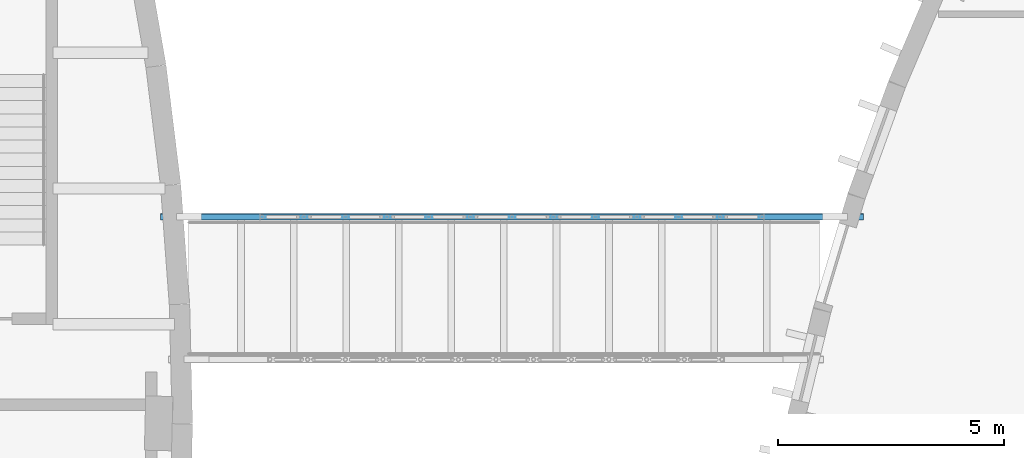
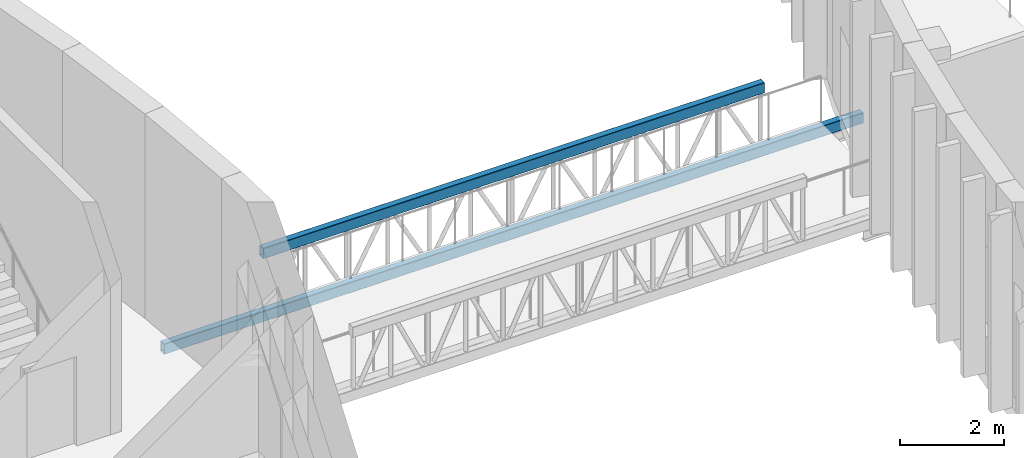
# One storey, part 35 of 93: 2 members.
"""IFC4 building model written with IfcOpenShell, lengths in metres."""

from ifc_helpers import new_model, si_unit, direction, frame, origin, origin_2d, place, context, subcontext, project, spatial, hollow_rectangle, extrude, material, material_profile, profile_set, type_object, element, save


model = new_model("IFC4")

# Units and contexts
model_context = context("Model", 3, precision=1e-05, world=origin(), true_north=direction((0.0, 1.0)))
body_context = subcontext(model_context, "Body", "Model", "MODEL_VIEW")
ifc_project = project(units=[si_unit("LENGTHUNIT", "METRE"), si_unit("AREAUNIT", "SQUARE_METRE"), si_unit("VOLUMEUNIT", "CUBIC_METRE"), si_unit("PLANEANGLEUNIT", "RADIAN"), si_unit("MASSUNIT", "GRAM", prefix="KILO")], contexts=[model_context])

# Site, building, storey
site_placement = place(None, origin())
site = spatial("IfcSite", under=ifc_project, at=site_placement, CompositionType="ELEMENT")
building_placement = place(site_placement, origin())
building = spatial("IfcBuilding", under=site, at=building_placement, Name="Tide Square Theatres", CompositionType="ELEMENT")
storey_placement = place(building_placement, frame((0.0, 0.0, 5.39990234375)))
storey = spatial("IfcBuildingStorey", under=building, at=storey_placement, Name="L01", CompositionType="ELEMENT", Elevation=5.39990234375)

# Members
ifc_material = material(Name="Steel ASTM A500 Grade C", Category="steel")
ifc_material_profile = material_profile(ifc_material, hollow_rectangle(XDim=0.14990234375, YDim=0.25, WallThickness=0.008056640625, InnerFilletRadius=0.008056640625, OuterFilletRadius=0.01611328125, at=origin_2d()))
ifc_profile_set = profile_set([ifc_material_profile], Name="Steel ASTM A500 Grade C")
member_type = type_object("IfcMemberType", Name="Steel chord RHS 250 x 150 x 8.0", PredefinedType="CHORD", material=ifc_profile_set)
member_1_placement = place(storey_placement, frame((120.151611328125, 59.574951171875, -0.27490234375), z_axis=(-1.0, 0.0, 0.0), x_axis=(0.0, -1.0, 0.0)))
element("IfcMember", 1, at=member_1_placement, inside=storey, type_object=member_type, Name="Bridge BR-E1 bottom chord", PredefinedType="CHORD", context=body_context, shape_type="SweptSolid", body=[
    extrude(hollow_rectangle(XDim=0.14990234375, YDim=0.25, WallThickness=0.008056640625, InnerFilletRadius=0.008056640625, OuterFilletRadius=0.01611328125, at=origin_2d()), origin(), (0.0, 0.0, 1.0), 15.523681640625),
])
member_2_placement = place(storey_placement, frame((117.95166015625, 59.574951171875, 1.2001953125), z_axis=(-1.0, 0.0, 0.0), x_axis=(0.0, -1.0, 0.0)))
element("IfcMember", 2, at=member_2_placement, inside=storey, type_object=member_type, Name="Bridge BR-E1 top chord", PredefinedType="CHORD", context=body_context, shape_type="SweptSolid", body=[
    extrude(hollow_rectangle(XDim=0.14990234375, YDim=0.25, WallThickness=0.008056640625, InnerFilletRadius=0.008056640625, OuterFilletRadius=0.01611328125, at=origin_2d()), origin(), (0.0, 0.0, 1.0), 11.123779296875),
])

save(model, "model.ifc")
